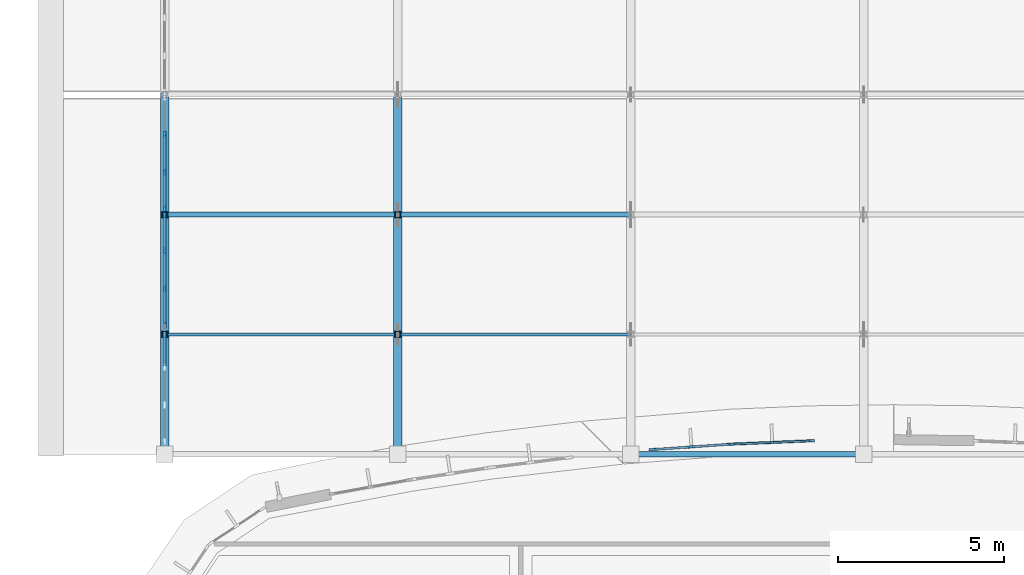
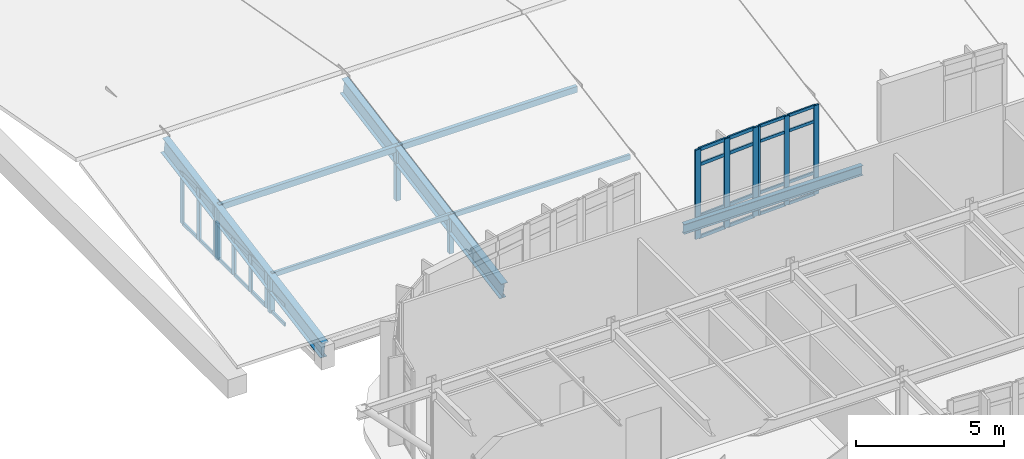
# One storey, part 32 of 105: 49 members, 3 beams, 5 elements without a shape of their own.
"""IFC4 building model written with IfcOpenShell, lengths in metres."""

from ifc_helpers import new_model, si_unit, direction, frame, origin, origin_2d, place, context, subcontext, project, spatial, rectangle, hollow_rectangle, i_section, extrude, material, material_profile, profile_set, type_object, element, aggregate, save


model = new_model("IFC4")

# Units and contexts
model_context = context("Model", 3, precision=1e-05, world=origin(), true_north=direction((0.0, 1.0)))
body_context = subcontext(model_context, "Body", "Model", "MODEL_VIEW")
ifc_project = project(units=[si_unit("LENGTHUNIT", "METRE"), si_unit("AREAUNIT", "SQUARE_METRE"), si_unit("VOLUMEUNIT", "CUBIC_METRE"), si_unit("PLANEANGLEUNIT", "RADIAN"), si_unit("MASSUNIT", "GRAM", prefix="KILO")], contexts=[model_context])

# Site, building, storey
site_placement = place(None, origin())
site = spatial("IfcSite", under=ifc_project, at=site_placement, CompositionType="ELEMENT")
building_placement = place(site_placement, origin())
building = spatial("IfcBuilding", under=site, at=building_placement, Name="Corveleigh Park Community Centre", CompositionType="ELEMENT")
storey_placement = place(building_placement, frame((0.0, 0.0, 8.699951171875)))
storey = spatial("IfcBuildingStorey", under=building, at=storey_placement, Name="L02", CompositionType="ELEMENT", Elevation=8.699951171875)

# Beams
ifc_material_1 = material(Name="Steel S355", Category="steel")
ifc_material_profile_1 = material_profile(ifc_material_1, i_section(OverallWidth=0.177978515625, OverallDepth=0.406494140625, WebThickness=0.0078125, FlangeThickness=0.0126953125, at=origin_2d()), Name="UKB 406x178x60", Category="steel")
ifc_profile_set_1 = profile_set([ifc_material_profile_1], Name="Steel S355")
beam_type_1 = type_object("IfcBeamType", Name="BM-STL-UKB406x60", PredefinedType="BEAM", material=ifc_profile_set_1)
beam_placement = place(storey_placement, frame((25.205078125, 92.800048828125, 0.716796875), z_axis=(1.0, 0.0, 0.0), x_axis=(0.0, 1.0, 0.0)))
element("IfcBeam", 1, at=beam_placement, inside=storey, type_object=beam_type_1, Name="V2 Eave Tie Beam", PredefinedType="BEAM", context=body_context, shape_type="SweptSolid", body=[
    extrude(i_section(OverallWidth=0.177978515625, OverallDepth=0.406494140625, WebThickness=0.0078125, FlangeThickness=0.0126953125, at=origin_2d()), origin(), (0.0, 0.0, 1.0), 6.989990234375),
])
ifc_material_profile_2 = material_profile(ifc_material_1, i_section(OverallWidth=0.25439453125, OverallDepth=0.6875, WebThickness=0.01318359375, FlangeThickness=0.02099609375, at=origin_2d()), Name="UKB 686x254x152", Category="steel")
ifc_profile_set_2 = profile_set([ifc_material_profile_2], Name="Steel S355")
beam_type_2 = type_object("IfcBeamType", Name="BM-STL-UKB686x152", PredefinedType="BEAM", material=ifc_profile_set_2)
for number, where, z_axis, x_axis, name in (
    (2, (11.199951171875, 92.800048828125, 0.59814453125), (0.0, 0.984084889599, 0.177698987231), (-1.0, 0.0, 0.0), "V2 Portal Rafter S1"),
    (3, (18.199951171875, 92.800048828125, 0.59814453125), (0.0, 0.984084889599, 0.177698987231), (-1.0, 0.0, 0.0), "V2 Portal Rafter S2"),
):
    element("IfcBeam", number, at=place(storey_placement, frame(where, z_axis=z_axis, x_axis=x_axis)), inside=storey, type_object=beam_type_2, Name=name, PredefinedType="BEAM", context=body_context, shape_type="SweptSolid", body=[
        extrude(i_section(OverallWidth=0.25439453125, OverallDepth=0.6875, WebThickness=0.01318359375, FlangeThickness=0.02099609375, at=origin_2d()), origin(), (0.0, 0.0, 1.0), 10.974609375),
    ])

# Curtain wall, members
ifc_material_2 = material(Name="Anodised aluminium 6063-T6", Category="aluminium")
curtain_wall_type = type_object("IfcCurtainWallType", Name="CW-SYS-V2-HALL", PredefinedType="NOTDEFINED", material=ifc_material_2)
curtain_wall_1_placement = place(storey_placement, origin())
curtain_wall_1 = element("IfcCurtainWall", 4, at=curtain_wall_1_placement, inside=storey, type_object=curtain_wall_type, Name="V2 L02 Curtain Wall 321", PredefinedType="NOTDEFINED")
ifc_material_profile_3 = material_profile(ifc_material_2, rectangle(XDim=0.070068359375, YDim=0.199951171875, at=origin_2d()), Name="ALU-M70x200", Category="aluminium")
ifc_profile_set_3 = profile_set([ifc_material_profile_3], Name="Anodised aluminium 6063-T6")
member_type_1 = type_object("IfcMemberType", Name="CWM-70x200", PredefinedType="MULLION", material=ifc_profile_set_3)
member_1_placement = place(storey_placement, frame((28.282958984375, 93.107421875, 0.0), z_axis=(0.0, 0.0, 1.0), x_axis=(-0.041837300215, 0.99912443685, 0.0)))
member_1 = element("IfcMember", 5, at=member_1_placement, type_object=member_type_1, Name="CW04 mullion 1", PredefinedType="MULLION", context=body_context, shape_type="SweptSolid", body=[
    extrude(rectangle(XDim=0.070068359375, YDim=0.199951171875, at=origin_2d()), origin(), (0.0, 0.0, 1.0), 3.679931640625),
])
member_2_placement = place(storey_placement, frame((29.4541015625, 93.156494140625, 0.0), z_axis=(0.0, 0.0, 1.0), x_axis=(-0.041837300215, 0.99912443685, 0.0)))
member_2 = element("IfcMember", 6, at=member_2_placement, type_object=member_type_1, Name="CW04 mullion 2", PredefinedType="MULLION", context=body_context, shape_type="SweptSolid", body=[
    extrude(rectangle(XDim=0.070068359375, YDim=0.199951171875, at=origin_2d()), origin(), (0.0, 0.0, 1.0), 3.679931640625),
])
member_3_placement = place(storey_placement, frame((30.625, 93.20556640625, 0.0), z_axis=(0.0, 0.0, 1.0), x_axis=(-0.041837300215, 0.99912443685, 0.0)))
member_3 = element("IfcMember", 7, at=member_3_placement, type_object=member_type_1, Name="CW04 mullion 3", PredefinedType="MULLION", context=body_context, shape_type="SweptSolid", body=[
    extrude(rectangle(XDim=0.070068359375, YDim=0.199951171875, at=origin_2d()), origin(), (0.0, 0.0, 1.0), 3.679931640625),
])

curtain_wall_2_placement = place(storey_placement, origin())
curtain_wall_2 = element("IfcCurtainWall", 8, at=curtain_wall_2_placement, inside=storey, type_object=curtain_wall_type, Name="Sports Hall W Gable Clerestory 2", PredefinedType="NOTDEFINED")
member_4_placement = place(storey_placement, frame((11.199951171875, 96.675048828125, 0.0), z_axis=(0.0, 0.0, 1.0), x_axis=(-1.0, 0.0, 0.0)))
member_4 = element("IfcMember", 9, at=member_4_placement, type_object=member_type_1, Name="CW04 mullion 1", PredefinedType="MULLION", context=body_context, shape_type="SweptSolid", body=[
    extrude(rectangle(XDim=0.070068359375, YDim=0.199951171875, at=origin_2d()), origin(), (0.0, 0.0, 1.0), 1.5029296875),
])
member_5_placement = place(storey_placement, frame((11.199951171875, 97.780029296875, 0.0), z_axis=(0.0, 0.0, 1.0), x_axis=(-1.0, 0.0, 0.0)))
member_5 = element("IfcMember", 10, at=member_5_placement, type_object=member_type_1, Name="CW04 mullion 2", PredefinedType="MULLION", context=body_context, shape_type="SweptSolid", body=[
    extrude(rectangle(XDim=0.070068359375, YDim=0.199951171875, at=origin_2d()), origin(), (0.0, 0.0, 1.0), 1.5029296875),
])
member_6_placement = place(storey_placement, frame((11.199951171875, 98.919921875, 0.0), z_axis=(0.0, 0.0, 1.0), x_axis=(-1.0, 0.0, 0.0)))
member_6 = element("IfcMember", 11, at=member_6_placement, type_object=member_type_1, Name="CW04 mullion 3", PredefinedType="MULLION", context=body_context, shape_type="SweptSolid", body=[
    extrude(rectangle(XDim=0.070068359375, YDim=0.199951171875, at=origin_2d()), origin(), (0.0, 0.0, 1.0), 1.5029296875),
])
member_7_placement = place(storey_placement, frame((11.199951171875, 100.02490234375, 0.0), z_axis=(0.0, 0.0, 1.0), x_axis=(-1.0, 0.0, 0.0)))
member_7 = element("IfcMember", 12, at=member_7_placement, type_object=member_type_1, Name="CW04 mullion 4", PredefinedType="MULLION", context=body_context, shape_type="SweptSolid", body=[
    extrude(rectangle(XDim=0.070068359375, YDim=0.199951171875, at=origin_2d()), origin(), (0.0, 0.0, 1.0), 1.5029296875),
])

curtain_wall_3_placement = place(storey_placement, origin())
curtain_wall_3 = element("IfcCurtainWall", 13, at=curtain_wall_3_placement, inside=storey, type_object=curtain_wall_type, Name="Sports Hall W Gable Clerestory 3", PredefinedType="NOTDEFINED")
member_8_placement = place(storey_placement, frame((11.199951171875, 100.175048828125, 0.0), z_axis=(0.0, 0.0, 1.0), x_axis=(-1.0, 0.0, 0.0)))
member_8 = element("IfcMember", 14, at=member_8_placement, type_object=member_type_1, Name="CW04 mullion 1", PredefinedType="MULLION", context=body_context, shape_type="SweptSolid", body=[
    extrude(rectangle(XDim=0.070068359375, YDim=0.199951171875, at=origin_2d()), origin(), (0.0, 0.0, 1.0), 2.135009765625),
])
member_9_placement = place(storey_placement, frame((11.199951171875, 101.280029296875, 0.0), z_axis=(0.0, 0.0, 1.0), x_axis=(-1.0, 0.0, 0.0)))
member_9 = element("IfcMember", 15, at=member_9_placement, type_object=member_type_1, Name="CW04 mullion 2", PredefinedType="MULLION", context=body_context, shape_type="SweptSolid", body=[
    extrude(rectangle(XDim=0.070068359375, YDim=0.199951171875, at=origin_2d()), origin(), (0.0, 0.0, 1.0), 2.135009765625),
])
member_10_placement = place(storey_placement, frame((11.199951171875, 102.419921875, 0.0), z_axis=(0.0, 0.0, 1.0), x_axis=(-1.0, 0.0, 0.0)))
member_10 = element("IfcMember", 16, at=member_10_placement, type_object=member_type_1, Name="CW04 mullion 3", PredefinedType="MULLION", context=body_context, shape_type="SweptSolid", body=[
    extrude(rectangle(XDim=0.070068359375, YDim=0.199951171875, at=origin_2d()), origin(), (0.0, 0.0, 1.0), 2.135009765625),
])

curtain_wall_4_placement = place(storey_placement, origin())
curtain_wall_4 = element("IfcCurtainWall", 17, at=curtain_wall_4_placement, inside=storey, type_object=curtain_wall_type, Name="V2 L02 Curtain Wall 322", PredefinedType="NOTDEFINED")
ifc_material_profile_4 = material_profile(ifc_material_2, rectangle(XDim=0.074951171875, YDim=0.219970703125, at=origin_2d()), Name="ALU-M75x220", Category="aluminium")
ifc_profile_set_4 = profile_set([ifc_material_profile_4], Name="Anodised aluminium 6063-T6")
member_type_2 = type_object("IfcMemberType", Name="CWM-75x220", PredefinedType="MULLION", material=ifc_profile_set_4)
member_11_placement = place(storey_placement, frame((25.859375, 92.941650390625, 0.0), z_axis=(0.0, 0.0, 1.0), x_axis=(-0.068773654486, 0.997632289197, 0.0)))
member_11 = element("IfcMember", 18, at=member_11_placement, type_object=member_type_2, Name="CW04 mullion 1", PredefinedType="MULLION", context=body_context, shape_type="SweptSolid", body=[
    extrude(rectangle(XDim=0.074951171875, YDim=0.219970703125, at=origin_2d()), origin(), (0.0, 0.0, 1.0), 3.679931640625),
])
member_12_placement = place(storey_placement, frame((27.02587890625, 93.02197265625, 0.0), z_axis=(0.0, 0.0, 1.0), x_axis=(-0.068773654486, 0.997632289197, 0.0)))
member_12 = element("IfcMember", 19, at=member_12_placement, type_object=member_type_2, Name="CW04 mullion 2", PredefinedType="MULLION", context=body_context, shape_type="SweptSolid", body=[
    extrude(rectangle(XDim=0.074951171875, YDim=0.219970703125, at=origin_2d()), origin(), (0.0, 0.0, 1.0), 3.679931640625),
])
member_13_placement = place(storey_placement, frame((28.192626953125, 93.1025390625, 0.0), z_axis=(0.0, 0.0, 1.0), x_axis=(-0.068773654486, 0.997632289197, 0.0)))
member_13 = element("IfcMember", 20, at=member_13_placement, type_object=member_type_2, Name="CW04 mullion 3", PredefinedType="MULLION", context=body_context, shape_type="SweptSolid", body=[
    extrude(rectangle(XDim=0.074951171875, YDim=0.219970703125, at=origin_2d()), origin(), (0.0, 0.0, 1.0), 3.679931640625),
])

# Member
ifc_material_profile_5 = material_profile(ifc_material_2, rectangle(XDim=0.06005859375, YDim=0.1201171875, at=origin_2d()), Name="ALU-T60x120", Category="aluminium")
ifc_profile_set_5 = profile_set([ifc_material_profile_5], Name="Anodised aluminium 6063-T6")
member_type_3 = type_object("IfcMemberType", Name="CWT-60x120", PredefinedType="USERDEFINED", material=ifc_profile_set_5)
member_14_placement = place(storey_placement, frame((28.31787109375, 93.10888671875, 0.030029296875), z_axis=(0.999123061853, 0.041870123878, 0.0), x_axis=(-0.041870123878, 0.999123061853, 0.0)))
member_14 = element("IfcMember", 21, at=member_14_placement, type_object=member_type_3, Name="CW04 transom 1.1", ObjectType="TRANSOM", PredefinedType="USERDEFINED", context=body_context, shape_type="SweptSolid", body=[
    extrude(rectangle(XDim=0.06005859375, YDim=0.1201171875, at=origin_2d()), origin(), (0.0, 0.0, 1.0), 1.10205078125),
])

member_15_placement = place(storey_placement, frame((28.31787109375, 93.10888671875, 0.900146484375), z_axis=(0.999123061853, 0.041870123878, 0.0), x_axis=(-0.041870123878, 0.999123061853, 0.0)))
member_15 = element("IfcMember", 22, at=member_15_placement, type_object=member_type_3, Name="CW04 transom 1.2", ObjectType="TRANSOM", PredefinedType="USERDEFINED", context=body_context, shape_type="SweptSolid", body=[
    extrude(rectangle(XDim=0.06005859375, YDim=0.1201171875, at=origin_2d()), origin(), (0.0, 0.0, 1.0), 1.10205078125),
])

member_16_placement = place(storey_placement, frame((28.31787109375, 93.10888671875, 3.030029296875), z_axis=(0.999123061853, 0.041870123878, 0.0), x_axis=(-0.041870123878, 0.999123061853, 0.0)))
member_16 = element("IfcMember", 23, at=member_16_placement, type_object=member_type_3, Name="CW04 transom 1.3", ObjectType="TRANSOM", PredefinedType="USERDEFINED", context=body_context, shape_type="SweptSolid", body=[
    extrude(rectangle(XDim=0.06005859375, YDim=0.1201171875, at=origin_2d()), origin(), (0.0, 0.0, 1.0), 1.10205078125),
])

member_17_placement = place(storey_placement, frame((28.31787109375, 93.10888671875, 3.650146484375), z_axis=(0.999123061853, 0.041870123878, 0.0), x_axis=(-0.041870123878, 0.999123061853, 0.0)))
member_17 = element("IfcMember", 24, at=member_17_placement, type_object=member_type_3, Name="CW04 transom 1.4", ObjectType="TRANSOM", PredefinedType="USERDEFINED", context=body_context, shape_type="SweptSolid", body=[
    extrude(rectangle(XDim=0.06005859375, YDim=0.1201171875, at=origin_2d()), origin(), (0.0, 0.0, 1.0), 1.10205078125),
])

member_18_placement = place(storey_placement, frame((29.489013671875, 93.157958984375, 0.030029296875), z_axis=(0.999123061853, 0.041870123878, 0.0), x_axis=(-0.041870123878, 0.999123061853, 0.0)))
member_18 = element("IfcMember", 25, at=member_18_placement, type_object=member_type_3, Name="CW04 transom 2.1", ObjectType="TRANSOM", PredefinedType="USERDEFINED", context=body_context, shape_type="SweptSolid", body=[
    extrude(rectangle(XDim=0.06005859375, YDim=0.1201171875, at=origin_2d()), origin(), (0.0, 0.0, 1.0), 1.10205078125),
])

member_19_placement = place(storey_placement, frame((29.489013671875, 93.157958984375, 0.900146484375), z_axis=(0.999123061853, 0.041870123878, 0.0), x_axis=(-0.041870123878, 0.999123061853, 0.0)))
member_19 = element("IfcMember", 26, at=member_19_placement, type_object=member_type_3, Name="CW04 transom 2.2", ObjectType="TRANSOM", PredefinedType="USERDEFINED", context=body_context, shape_type="SweptSolid", body=[
    extrude(rectangle(XDim=0.06005859375, YDim=0.1201171875, at=origin_2d()), origin(), (0.0, 0.0, 1.0), 1.10205078125),
])

member_20_placement = place(storey_placement, frame((29.489013671875, 93.157958984375, 3.030029296875), z_axis=(0.999123061853, 0.041870123878, 0.0), x_axis=(-0.041870123878, 0.999123061853, 0.0)))
member_20 = element("IfcMember", 27, at=member_20_placement, type_object=member_type_3, Name="CW04 transom 2.3", ObjectType="TRANSOM", PredefinedType="USERDEFINED", context=body_context, shape_type="SweptSolid", body=[
    extrude(rectangle(XDim=0.06005859375, YDim=0.1201171875, at=origin_2d()), origin(), (0.0, 0.0, 1.0), 1.10205078125),
])

member_21_placement = place(storey_placement, frame((29.489013671875, 93.157958984375, 3.650146484375), z_axis=(0.999123061853, 0.041870123878, 0.0), x_axis=(-0.041870123878, 0.999123061853, 0.0)))
member_21 = element("IfcMember", 28, at=member_21_placement, type_object=member_type_3, Name="CW04 transom 2.4", ObjectType="TRANSOM", PredefinedType="USERDEFINED", context=body_context, shape_type="SweptSolid", body=[
    extrude(rectangle(XDim=0.06005859375, YDim=0.1201171875, at=origin_2d()), origin(), (0.0, 0.0, 1.0), 1.10205078125),
])

aggregate(curtain_wall_1, [member_1, member_2, member_3, member_14, member_15, member_16, member_17, member_18, member_19, member_20, member_21])

ifc_material_profile_6 = material_profile(ifc_material_2, rectangle(XDim=0.06494140625, YDim=0.139892578125, at=origin_2d()), Name="ALU-T65x140", Category="aluminium")
ifc_profile_set_6 = profile_set([ifc_material_profile_6], Name="Anodised aluminium 6063-T6")
member_type_4 = type_object("IfcMemberType", Name="CWT-65x140", PredefinedType="USERDEFINED", material=ifc_profile_set_6)
member_22_placement = place(storey_placement, frame((25.896728515625, 92.944091796875, 0.032470703125), z_axis=(0.997621343865, 0.068932244019, 0.0), x_axis=(-0.068932244019, 0.997621343865, 0.0)))
member_22 = element("IfcMember", 29, at=member_22_placement, type_object=member_type_4, Name="CW04 transom 1.1", ObjectType="TRANSOM", PredefinedType="USERDEFINED", context=body_context, shape_type="SweptSolid", body=[
    extrude(rectangle(XDim=0.06494140625, YDim=0.139892578125, at=origin_2d()), origin(), (0.0, 0.0, 1.0), 1.094482421875),
])

member_23_placement = place(storey_placement, frame((25.896728515625, 92.944091796875, 0.900146484375), z_axis=(0.997621343865, 0.068932244019, 0.0), x_axis=(-0.068932244019, 0.997621343865, 0.0)))
member_23 = element("IfcMember", 30, at=member_23_placement, type_object=member_type_4, Name="CW04 transom 1.2", ObjectType="TRANSOM", PredefinedType="USERDEFINED", context=body_context, shape_type="SweptSolid", body=[
    extrude(rectangle(XDim=0.06494140625, YDim=0.139892578125, at=origin_2d()), origin(), (0.0, 0.0, 1.0), 1.094482421875),
])

member_24_placement = place(storey_placement, frame((25.896728515625, 92.944091796875, 3.030029296875), z_axis=(0.997621343865, 0.068932244019, 0.0), x_axis=(-0.068932244019, 0.997621343865, 0.0)))
member_24 = element("IfcMember", 31, at=member_24_placement, type_object=member_type_4, Name="CW04 transom 1.3", ObjectType="TRANSOM", PredefinedType="USERDEFINED", context=body_context, shape_type="SweptSolid", body=[
    extrude(rectangle(XDim=0.06494140625, YDim=0.139892578125, at=origin_2d()), origin(), (0.0, 0.0, 1.0), 1.094482421875),
])

member_25_placement = place(storey_placement, frame((25.896728515625, 92.944091796875, 3.6474609375), z_axis=(0.997621343865, 0.068932244019, 0.0), x_axis=(-0.068932244019, 0.997621343865, 0.0)))
member_25 = element("IfcMember", 32, at=member_25_placement, type_object=member_type_4, Name="CW04 transom 1.4", ObjectType="TRANSOM", PredefinedType="USERDEFINED", context=body_context, shape_type="SweptSolid", body=[
    extrude(rectangle(XDim=0.06494140625, YDim=0.139892578125, at=origin_2d()), origin(), (0.0, 0.0, 1.0), 1.094482421875),
])

member_26_placement = place(storey_placement, frame((27.0634765625, 93.024658203125, 0.032470703125), z_axis=(0.997636660338, 0.068710217215, 0.0), x_axis=(-0.068710217215, 0.997636660338, 0.0)))
member_26 = element("IfcMember", 33, at=member_26_placement, type_object=member_type_4, Name="CW04 transom 2.1", ObjectType="TRANSOM", PredefinedType="USERDEFINED", context=body_context, shape_type="SweptSolid", body=[
    extrude(rectangle(XDim=0.06494140625, YDim=0.139892578125, at=origin_2d()), origin(), (0.0, 0.0, 1.0), 1.094482421875),
])

member_27_placement = place(storey_placement, frame((27.0634765625, 93.024658203125, 0.900146484375), z_axis=(0.997636660338, 0.068710217215, 0.0), x_axis=(-0.068710217215, 0.997636660338, 0.0)))
member_27 = element("IfcMember", 34, at=member_27_placement, type_object=member_type_4, Name="CW04 transom 2.2", ObjectType="TRANSOM", PredefinedType="USERDEFINED", context=body_context, shape_type="SweptSolid", body=[
    extrude(rectangle(XDim=0.06494140625, YDim=0.139892578125, at=origin_2d()), origin(), (0.0, 0.0, 1.0), 1.094482421875),
])

member_28_placement = place(storey_placement, frame((27.0634765625, 93.024658203125, 3.030029296875), z_axis=(0.997636660338, 0.068710217215, 0.0), x_axis=(-0.068710217215, 0.997636660338, 0.0)))
member_28 = element("IfcMember", 35, at=member_28_placement, type_object=member_type_4, Name="CW04 transom 2.3", ObjectType="TRANSOM", PredefinedType="USERDEFINED", context=body_context, shape_type="SweptSolid", body=[
    extrude(rectangle(XDim=0.06494140625, YDim=0.139892578125, at=origin_2d()), origin(), (0.0, 0.0, 1.0), 1.094482421875),
])

member_29_placement = place(storey_placement, frame((27.0634765625, 93.024658203125, 3.6474609375), z_axis=(0.997636660338, 0.068710217215, 0.0), x_axis=(-0.068710217215, 0.997636660338, 0.0)))
member_29 = element("IfcMember", 36, at=member_29_placement, type_object=member_type_4, Name="CW04 transom 2.4", ObjectType="TRANSOM", PredefinedType="USERDEFINED", context=body_context, shape_type="SweptSolid", body=[
    extrude(rectangle(XDim=0.06494140625, YDim=0.139892578125, at=origin_2d()), origin(), (0.0, 0.0, 1.0), 1.094482421875),
])

aggregate(curtain_wall_4, [member_11, member_12, member_13, member_22, member_23, member_24, member_25, member_26, member_27, member_28, member_29])

# Curtain wall, members
curtain_wall_5_placement = place(storey_placement, origin())
curtain_wall_5 = element("IfcCurtainWall", 37, at=curtain_wall_5_placement, inside=storey, type_object=curtain_wall_type, Name="Sports Hall W Gable Clerestory 1", PredefinedType="NOTDEFINED")
member_30_placement = place(storey_placement, frame((11.199951171875, 95.455078125, 0.032470703125), z_axis=(0.0, 1.0, 0.0), x_axis=(-1.0, 0.0, 0.0)))
member_30 = element("IfcMember", 38, at=member_30_placement, type_object=member_type_4, Name="CW04 transom 3.1", ObjectType="TRANSOM", PredefinedType="USERDEFINED", context=body_context, shape_type="SweptSolid", body=[
    extrude(rectangle(XDim=0.06494140625, YDim=0.139892578125, at=origin_2d()), origin(), (0.0, 0.0, 1.0), 1.034912109375),
])
member_31_placement = place(storey_placement, frame((11.199951171875, 95.455078125, 0.838623046875), z_axis=(0.0, 1.0, 0.0), x_axis=(-1.0, 0.0, 0.0)))
member_31 = element("IfcMember", 39, at=member_31_placement, type_object=member_type_4, Name="CW04 transom 3.2", ObjectType="TRANSOM", PredefinedType="USERDEFINED", context=body_context, shape_type="SweptSolid", body=[
    extrude(rectangle(XDim=0.06494140625, YDim=0.139892578125, at=origin_2d()), origin(), (0.0, 0.0, 1.0), 1.034912109375),
])
aggregate(curtain_wall_5, [member_30, member_31])

# Member
member_32_placement = place(storey_placement, frame((11.199951171875, 96.7099609375, 0.032470703125), z_axis=(0.0, 1.0, 0.0), x_axis=(-1.0, 0.0, 0.0)))
member_32 = element("IfcMember", 40, at=member_32_placement, type_object=member_type_4, Name="CW04 transom 1.1", ObjectType="TRANSOM", PredefinedType="USERDEFINED", context=body_context, shape_type="SweptSolid", body=[
    extrude(rectangle(XDim=0.06494140625, YDim=0.139892578125, at=origin_2d()), origin(), (0.0, 0.0, 1.0), 1.03515625),
])

member_33_placement = place(storey_placement, frame((11.199951171875, 96.7099609375, 1.470458984375), z_axis=(0.0, 1.0, 0.0), x_axis=(-1.0, 0.0, 0.0)))
member_33 = element("IfcMember", 41, at=member_33_placement, type_object=member_type_4, Name="CW04 transom 1.2", ObjectType="TRANSOM", PredefinedType="USERDEFINED", context=body_context, shape_type="SweptSolid", body=[
    extrude(rectangle(XDim=0.06494140625, YDim=0.139892578125, at=origin_2d()), origin(), (0.0, 0.0, 1.0), 1.03515625),
])

member_34_placement = place(storey_placement, frame((11.199951171875, 97.81494140625, 0.032470703125), z_axis=(0.0, 1.0, 0.0), x_axis=(-1.0, 0.0, 0.0)))
member_34 = element("IfcMember", 42, at=member_34_placement, type_object=member_type_4, Name="CW04 transom 2.1", ObjectType="TRANSOM", PredefinedType="USERDEFINED", context=body_context, shape_type="SweptSolid", body=[
    extrude(rectangle(XDim=0.06494140625, YDim=0.139892578125, at=origin_2d()), origin(), (0.0, 0.0, 1.0), 1.070068359375),
])

member_35_placement = place(storey_placement, frame((11.199951171875, 97.81494140625, 1.470458984375), z_axis=(0.0, 1.0, 0.0), x_axis=(-1.0, 0.0, 0.0)))
member_35 = element("IfcMember", 43, at=member_35_placement, type_object=member_type_4, Name="CW04 transom 2.2", ObjectType="TRANSOM", PredefinedType="USERDEFINED", context=body_context, shape_type="SweptSolid", body=[
    extrude(rectangle(XDim=0.06494140625, YDim=0.139892578125, at=origin_2d()), origin(), (0.0, 0.0, 1.0), 1.070068359375),
])

member_36_placement = place(storey_placement, frame((11.199951171875, 98.955078125, 0.032470703125), z_axis=(0.0, 1.0, 0.0), x_axis=(-1.0, 0.0, 0.0)))
member_36 = element("IfcMember", 44, at=member_36_placement, type_object=member_type_4, Name="CW04 transom 3.1", ObjectType="TRANSOM", PredefinedType="USERDEFINED", context=body_context, shape_type="SweptSolid", body=[
    extrude(rectangle(XDim=0.06494140625, YDim=0.139892578125, at=origin_2d()), origin(), (0.0, 0.0, 1.0), 1.034912109375),
])

member_37_placement = place(storey_placement, frame((11.199951171875, 98.955078125, 1.470458984375), z_axis=(0.0, 1.0, 0.0), x_axis=(-1.0, 0.0, 0.0)))
member_37 = element("IfcMember", 45, at=member_37_placement, type_object=member_type_4, Name="CW04 transom 3.2", ObjectType="TRANSOM", PredefinedType="USERDEFINED", context=body_context, shape_type="SweptSolid", body=[
    extrude(rectangle(XDim=0.06494140625, YDim=0.139892578125, at=origin_2d()), origin(), (0.0, 0.0, 1.0), 1.034912109375),
])

aggregate(curtain_wall_2, [member_4, member_5, member_6, member_7, member_32, member_33, member_34, member_35, member_36, member_37])

member_38_placement = place(storey_placement, frame((11.199951171875, 100.2099609375, 0.032470703125), z_axis=(0.0, 1.0, 0.0), x_axis=(-1.0, 0.0, 0.0)))
member_38 = element("IfcMember", 46, at=member_38_placement, type_object=member_type_4, Name="CW04 transom 1.1", ObjectType="TRANSOM", PredefinedType="USERDEFINED", context=body_context, shape_type="SweptSolid", body=[
    extrude(rectangle(XDim=0.06494140625, YDim=0.139892578125, at=origin_2d()), origin(), (0.0, 0.0, 1.0), 1.03515625),
])

member_39_placement = place(storey_placement, frame((11.199951171875, 100.2099609375, 2.1025390625), z_axis=(0.0, 1.0, 0.0), x_axis=(-1.0, 0.0, 0.0)))
member_39 = element("IfcMember", 47, at=member_39_placement, type_object=member_type_4, Name="CW04 transom 1.2", ObjectType="TRANSOM", PredefinedType="USERDEFINED", context=body_context, shape_type="SweptSolid", body=[
    extrude(rectangle(XDim=0.06494140625, YDim=0.139892578125, at=origin_2d()), origin(), (0.0, 0.0, 1.0), 1.03515625),
])

member_40_placement = place(storey_placement, frame((11.199951171875, 101.31494140625, 0.032470703125), z_axis=(0.0, 1.0, 0.0), x_axis=(-1.0, 0.0, 0.0)))
member_40 = element("IfcMember", 48, at=member_40_placement, type_object=member_type_4, Name="CW04 transom 2.1", ObjectType="TRANSOM", PredefinedType="USERDEFINED", context=body_context, shape_type="SweptSolid", body=[
    extrude(rectangle(XDim=0.06494140625, YDim=0.139892578125, at=origin_2d()), origin(), (0.0, 0.0, 1.0), 1.070068359375),
])

member_41_placement = place(storey_placement, frame((11.199951171875, 101.31494140625, 2.1025390625), z_axis=(0.0, 1.0, 0.0), x_axis=(-1.0, 0.0, 0.0)))
member_41 = element("IfcMember", 49, at=member_41_placement, type_object=member_type_4, Name="CW04 transom 2.2", ObjectType="TRANSOM", PredefinedType="USERDEFINED", context=body_context, shape_type="SweptSolid", body=[
    extrude(rectangle(XDim=0.06494140625, YDim=0.139892578125, at=origin_2d()), origin(), (0.0, 0.0, 1.0), 1.070068359375),
])

aggregate(curtain_wall_3, [member_8, member_9, member_10, member_38, member_39, member_40, member_41])

# Members
ifc_material_profile_7 = material_profile(ifc_material_1, hollow_rectangle(XDim=0.10009765625, YDim=0.199951171875, WallThickness=0.008056640625, at=origin_2d()), Name="RHS 200x100x8.0", Category="steel")
ifc_profile_set_7 = profile_set([ifc_material_profile_7], Name="Steel S355")
member_type_5 = type_object("IfcMemberType", Name="MEM-PRL-RHS200", PredefinedType="PURLIN", material=ifc_profile_set_7)
for number, where, z_axis, x_axis, name in (
    (50, (11.199951171875, 96.39990234375, 1.51513671875), (1.0, 0.0, 0.0), (0.0, 1.0, 0.0), "V2 Hall Roof Purlin"),
    (51, (18.199951171875, 96.39990234375, 1.51513671875), (1.0, 0.0, 0.0), (0.0, 1.0, 0.0), "V2 Hall Roof Purlin"),
):
    element("IfcMember", number, at=place(storey_placement, frame(where, z_axis=z_axis, x_axis=x_axis)), inside=storey, type_object=member_type_5, Name=name, PredefinedType="PURLIN", context=body_context, shape_type="SweptSolid", body=[
        extrude(hollow_rectangle(XDim=0.10009765625, YDim=0.199951171875, WallThickness=0.008056640625, at=origin_2d()), origin(), (0.0, 0.0, 1.0), 7.0),
    ])
ifc_material_profile_8 = material_profile(ifc_material_1, hollow_rectangle(XDim=0.14990234375, YDim=0.25, WallThickness=0.010009765625, at=origin_2d()), Name="RHS 250x150x10.0", Category="steel")
ifc_profile_set_8 = profile_set([ifc_material_profile_8], Name="Steel S355")
member_type_6 = type_object("IfcMemberType", Name="MEM-PRL-RHS250", PredefinedType="PURLIN", material=ifc_profile_set_8)
for number, where, z_axis, x_axis, name in (
    (52, (11.199951171875, 100.0, 2.14013671875), (1.0, 0.0, 0.0), (0.0, 1.0, 0.0), "V2 Hall Roof Purlin"),
    (53, (18.199951171875, 100.0, 2.14013671875), (1.0, 0.0, 0.0), (0.0, 1.0, 0.0), "V2 Hall Roof Purlin"),
):
    element("IfcMember", number, at=place(storey_placement, frame(where, z_axis=z_axis, x_axis=x_axis)), inside=storey, type_object=member_type_6, Name=name, PredefinedType="PURLIN", context=body_context, shape_type="SweptSolid", body=[
        extrude(hollow_rectangle(XDim=0.14990234375, YDim=0.25, WallThickness=0.010009765625, at=origin_2d()), origin(), (0.0, 0.0, 1.0), 7.0),
    ])
ifc_material_profile_9 = material_profile(ifc_material_1, hollow_rectangle(XDim=0.179931640625, YDim=0.179931640625, WallThickness=0.010009765625, at=origin_2d()), Name="SHS 180x180x10.0", Category="steel")
ifc_profile_set_9 = profile_set([ifc_material_profile_9], Name="Steel S355")
member_type_7 = type_object("IfcMemberType", Name="MEM-STR-SHS180I", PredefinedType="STRUT", material=ifc_profile_set_9)
member_42_placement = place(storey_placement, frame((11.199951171875, 96.39990234375, 0.0), z_axis=(0.0, 0.0, 1.0), x_axis=(1.0, 0.0, 0.0)))
element("IfcMember", 54, at=member_42_placement, inside=storey, type_object=member_type_7, Name="V2 Truss 1 Hanger Post", PredefinedType="STRUT", context=body_context, shape_type="SweptSolid", body=[
    extrude(hollow_rectangle(XDim=0.179931640625, YDim=0.179931640625, WallThickness=0.010009765625, at=origin_2d()), origin(), (0.0, 0.0, 1.0), 1.5),
])
member_43_placement = place(storey_placement, frame((11.199951171875, 100.0, 0.0), z_axis=(0.0, 0.0, 1.0), x_axis=(1.0, 0.0, 0.0)))
element("IfcMember", 55, at=member_43_placement, inside=storey, type_object=member_type_7, Name="V2 Truss 1 Hanger Post", PredefinedType="STRUT", context=body_context, shape_type="SweptSolid", body=[
    extrude(hollow_rectangle(XDim=0.179931640625, YDim=0.179931640625, WallThickness=0.010009765625, at=origin_2d()), origin(), (0.0, 0.0, 1.0), 2.150146484375),
])
member_44_placement = place(storey_placement, frame((18.199951171875, 96.39990234375, 0.0), z_axis=(0.0, 0.0, 1.0), x_axis=(1.0, 0.0, 0.0)))
element("IfcMember", 56, at=member_44_placement, inside=storey, type_object=member_type_7, Name="V2 Truss 2 Hanger Post", PredefinedType="STRUT", context=body_context, shape_type="SweptSolid", body=[
    extrude(hollow_rectangle(XDim=0.179931640625, YDim=0.179931640625, WallThickness=0.010009765625, at=origin_2d()), origin(), (0.0, 0.0, 1.0), 1.5),
])
member_45_placement = place(storey_placement, frame((18.199951171875, 100.0, 0.0), z_axis=(0.0, 0.0, 1.0), x_axis=(1.0, 0.0, 0.0)))
element("IfcMember", 57, at=member_45_placement, inside=storey, type_object=member_type_7, Name="V2 Truss 2 Hanger Post", PredefinedType="STRUT", context=body_context, shape_type="SweptSolid", body=[
    extrude(hollow_rectangle(XDim=0.179931640625, YDim=0.179931640625, WallThickness=0.010009765625, at=origin_2d()), origin(), (0.0, 0.0, 1.0), 2.150146484375),
])

save(model, "model.ifc")
